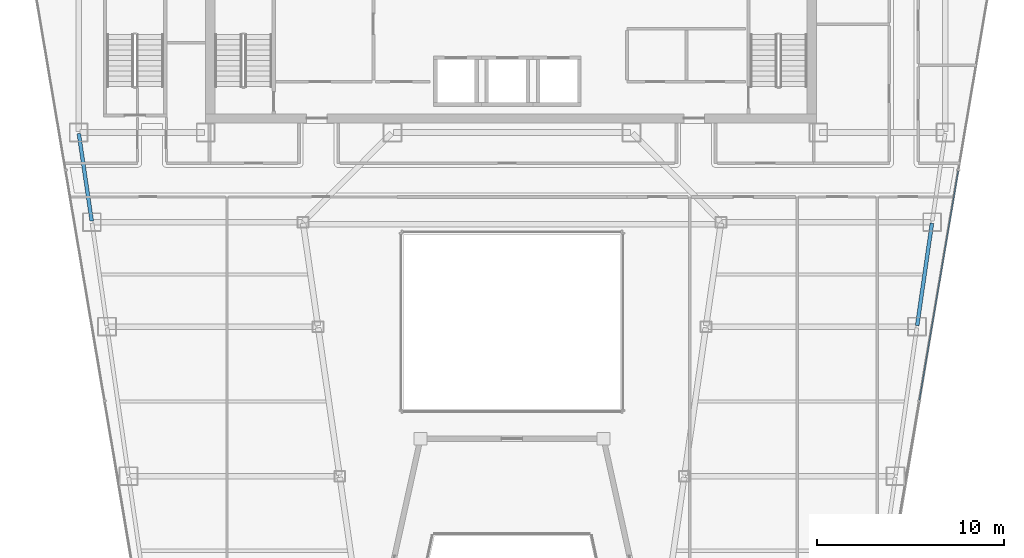
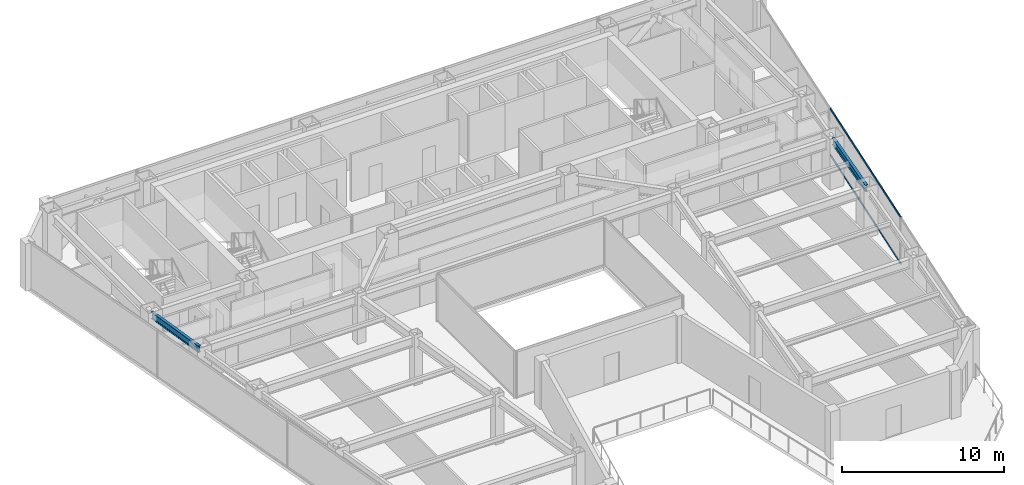
# One storey, part 12 of 31: 2 beams, 2 members, 1 element without a shape of its own.
"""IFC4 building model written with IfcOpenShell, lengths in metres."""

from ifc_helpers import new_model, si_unit, direction, frame, origin, origin_2d, place, context, subcontext, project, spatial, hollow_rectangle, i_section, extrude, material, material_profile, profile_set, type_object, element, aggregate, save


model = new_model("IFC4")

# Units and contexts
model_context = context("Model", 3, precision=1e-05, world=origin(), true_north=direction((0.0, 1.0)))
body_context = subcontext(model_context, "Body", "Model", "MODEL_VIEW")
ifc_project = project(units=[si_unit("LENGTHUNIT", "METRE"), si_unit("AREAUNIT", "SQUARE_METRE"), si_unit("VOLUMEUNIT", "CUBIC_METRE"), si_unit("PLANEANGLEUNIT", "RADIAN"), si_unit("MASSUNIT", "GRAM", prefix="KILO")], contexts=[model_context])

# Site, building, storey
site_placement = place(None, origin())
site = spatial("IfcSite", under=ifc_project, at=site_placement, CompositionType="ELEMENT")
building_placement = place(site_placement, origin())
building = spatial("IfcBuilding", under=site, at=building_placement, Name="Saevonmaru Cultural Tower", CompositionType="ELEMENT")
storey_placement = place(building_placement, frame((0.0, 0.0, 167.60009765625)))
storey = spatial("IfcBuildingStorey", under=building, at=storey_placement, Name="L37", CompositionType="ELEMENT", Elevation=167.60009765625)

# Beams
ifc_material_1 = material(Name="Steel SM355", Category="steel")
ifc_material_profile_1 = material_profile(ifc_material_1, i_section(OverallWidth=0.199951171875, OverallDepth=0.5, WebThickness=0.010009765625, FlangeThickness=0.01611328125, FilletRadius=0.02001953125, at=origin_2d()), Name="H-500x200x10x16")
ifc_profile_set_1 = profile_set([ifc_material_profile_1], Name="Steel SM355")
beam_type = type_object("IfcBeamType", Name="BM-SP-H500", PredefinedType="SPANDREL", material=ifc_profile_set_1)
beam_1_placement = place(storey_placement, frame((7.499267578125, 37.659423828125, 3.2998046875), z_axis=(-0.145912860028, 0.989297446312, 0.0), x_axis=(-0.989297446312, -0.145912860028, 0.0)))
element("IfcBeam", 1, at=beam_1_placement, inside=storey, type_object=beam_type, Name="L37 West Splayed Spandrel 4", PredefinedType="SPANDREL", context=body_context, shape_type="SweptSolid", body=[
    extrude(i_section(OverallWidth=0.199951171875, OverallDepth=0.5, WebThickness=0.010009765625, FlangeThickness=0.01611328125, FilletRadius=0.02001953125, at=origin_2d()), origin(), (0.0, 0.0, 1.0), 4.731689453125),
])
beam_2_placement = place(storey_placement, frame((51.691650390625, 32.059326171875, 3.2998046875), z_axis=(0.142964121327, 0.989727871697, 0.0), x_axis=(-0.989727871697, 0.142964121327, 0.0)))
element("IfcBeam", 2, at=beam_2_placement, inside=storey, type_object=beam_type, Name="L37 East Splayed Spandrel 3", PredefinedType="SPANDREL", context=body_context, shape_type="SweptSolid", body=[
    extrude(i_section(OverallWidth=0.199951171875, OverallDepth=0.5, WebThickness=0.010009765625, FlangeThickness=0.01611328125, FilletRadius=0.02001953125, at=origin_2d()), origin(), (0.0, 0.0, 1.0), 5.5380859375),
])

# Curtain wall, members
ifc_material_2 = material(Name="Satin Bronze Anodised Aluminium", Category="aluminium")
curtain_wall_type = type_object("IfcCurtainWallType", Name="CW-TYP-A", PredefinedType="NOTDEFINED", material=ifc_material_2)
curtain_wall_placement = place(storey_placement, origin())
curtain_wall = element("IfcCurtainWall", 3, at=curtain_wall_placement, inside=storey, type_object=curtain_wall_type, Name="L37 Unitised Curtain Wall E8", PredefinedType="NOTDEFINED")
ifc_material_profile_2 = material_profile(ifc_material_2, hollow_rectangle(XDim=0.06494140625, YDim=0.14990234375, WallThickness=0.00390625, at=origin_2d()), Name="ALU-TRAN-150x65x4")
ifc_profile_set_2 = profile_set([ifc_material_profile_2], Name="Satin Bronze Anodised Aluminium")
member_type = type_object("IfcMemberType", Name="TR-CW-150x65", PredefinedType="USERDEFINED", material=ifc_profile_set_2)
member_1_placement = place(storey_placement, frame((51.810302734375, 28.0517578125, 0.032470703125), z_axis=(0.166925351203, 0.985969536611, 0.0), x_axis=(-0.985969536611, 0.166925351203, 0.0)))
member_1 = element("IfcMember", 4, at=member_1_placement, type_object=member_type, Name="CW-TW-L37-E8 transom 2.1", ObjectType="TRANSOM", PredefinedType="USERDEFINED", context=body_context, shape_type="SweptSolid", body=[
    extrude(hollow_rectangle(XDim=0.06494140625, YDim=0.14990234375, WallThickness=0.00390625, at=origin_2d()), origin(), (0.0, 0.0, 1.0), 12.471435546875),
])
member_2_placement = place(storey_placement, frame((51.810302734375, 28.0517578125, 3.517333984375), z_axis=(0.166925351203, 0.985969536611, 0.0), x_axis=(-0.985969536611, 0.166925351203, 0.0)))
member_2 = element("IfcMember", 5, at=member_2_placement, type_object=member_type, Name="CW-TW-L37-E8 transom 2.2", ObjectType="TRANSOM", PredefinedType="USERDEFINED", context=body_context, shape_type="SweptSolid", body=[
    extrude(hollow_rectangle(XDim=0.06494140625, YDim=0.14990234375, WallThickness=0.00390625, at=origin_2d()), origin(), (0.0, 0.0, 1.0), 12.471435546875),
])
aggregate(curtain_wall, [member_1, member_2])

save(model, "model.ifc")
